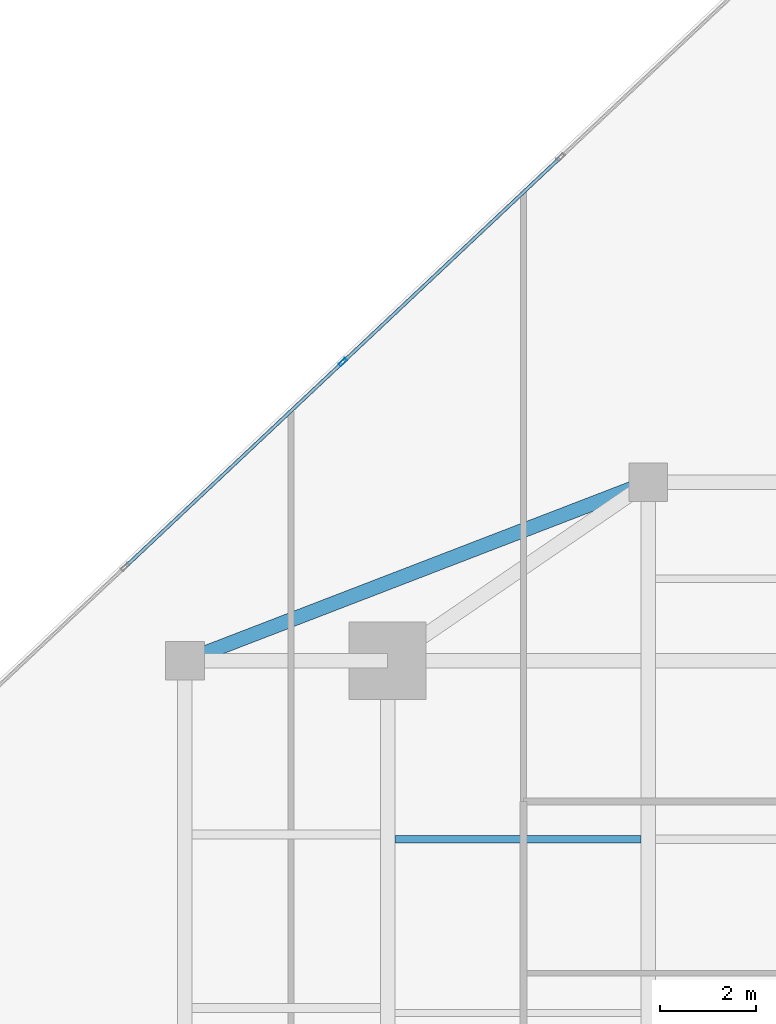
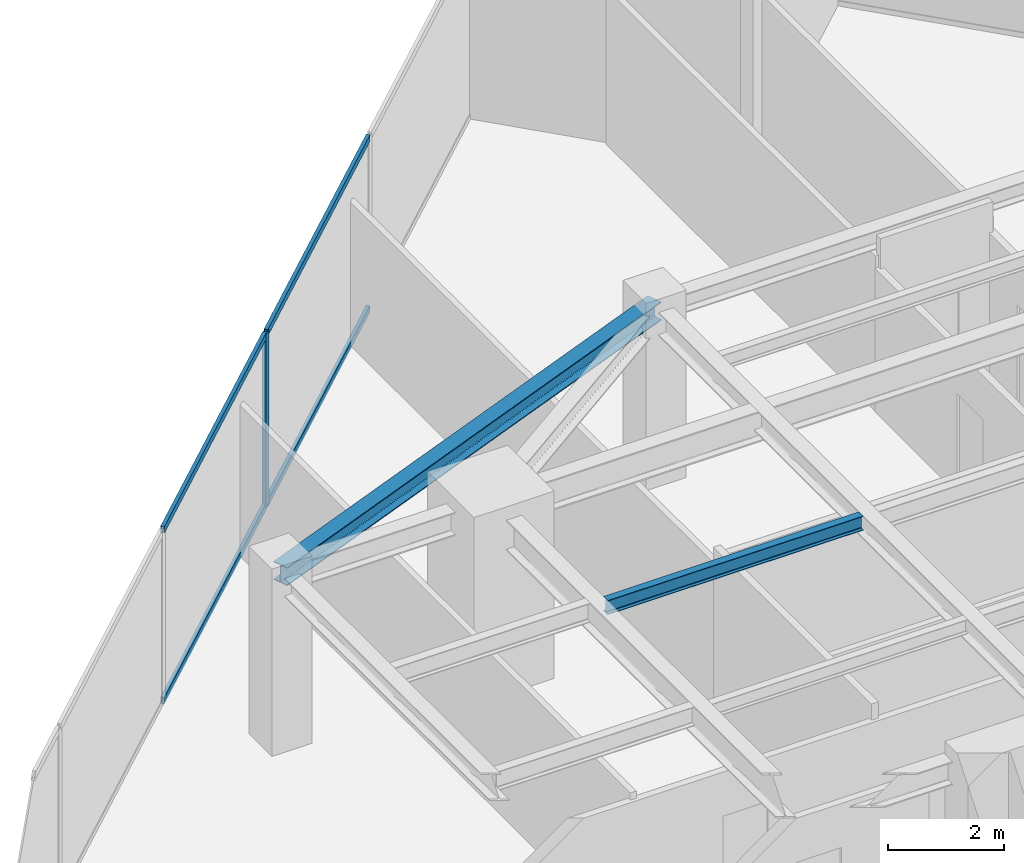
# One storey, part 14 of 24: 5 members, 2 beams, 1 element without a shape of its own.
"""IFC4 building model written with IfcOpenShell, lengths in metres."""

from ifc_helpers import new_model, si_unit, direction, frame, origin, origin_2d, place, context, subcontext, project, spatial, hollow_rectangle, i_section, extrude, source, transform, mapped, material, material_profile, profile_set, type_object, type_shapes, element, aggregate, save


model = new_model("IFC4")

# Units and contexts
model_context = context("Model", 3, precision=1e-05, world=origin(), true_north=direction((0.0, 1.0)))
body_context = subcontext(model_context, "Body", "Model", "MODEL_VIEW")
ifc_project = project(units=[si_unit("LENGTHUNIT", "METRE"), si_unit("AREAUNIT", "SQUARE_METRE"), si_unit("VOLUMEUNIT", "CUBIC_METRE"), si_unit("PLANEANGLEUNIT", "RADIAN"), si_unit("MASSUNIT", "GRAM", prefix="KILO")], contexts=[model_context])

# Site, building, storey
site_placement = place(None, origin())
site = spatial("IfcSite", under=ifc_project, at=site_placement, CompositionType="ELEMENT")
building_placement = place(site_placement, origin())
building = spatial("IfcBuilding", under=site, at=building_placement, Name="Krantzveldt Concourse Tower", CompositionType="ELEMENT")
storey_placement = place(building_placement, frame((0.0, 0.0, 246.800048828125)))
storey = spatial("IfcBuildingStorey", under=building, at=storey_placement, Name="L60", CompositionType="ELEMENT", Elevation=246.800048828125)

# Beams
ifc_material_1 = material(Name="Steel S355JR", Category="steel")
ifc_material_profile_1 = material_profile(ifc_material_1, i_section(OverallWidth=0.300048828125, OverallDepth=0.389892578125, WebThickness=0.010986328125, FlangeThickness=0.01904296875, FilletRadius=0.027099609375, at=origin_2d()), Name="Steel S355JR", Category="steel")
ifc_profile_set_1 = profile_set([ifc_material_profile_1], Name="Steel S355JR - HEA 400")
beam_type_1 = type_object("IfcBeamType", Name="BM-SP-HEA400", PredefinedType="SPANDREL", material=ifc_profile_set_1)
shared_shape_1 = source(origin(), body_context, "Body", "SweptSolid", [
    extrude(i_section(OverallWidth=0.300048828125, OverallDepth=0.389892578125, WebThickness=0.010986328125, FlangeThickness=0.01904296875, FilletRadius=0.027099609375, at=origin_2d()), origin(), (0.0, 0.0, 1.0), 10.288330078125),
])
type_shapes(beam_type_1, [shared_shape_1])
beam_1_placement = place(storey_placement, frame((21.0, 37.5, 3.474853515625), z_axis=(0.933097690408, 0.359622997257, 0.0), x_axis=(-0.359622997257, 0.933097690408, 0.0)))
element("IfcBeam", 1, at=beam_1_placement, inside=storey, type_object=beam_type_1, Name="L60 Tower Girder SP-R03", PredefinedType="SPANDREL", context=body_context, shape_type="MappedRepresentation", body=[
    mapped(shared_shape_1, transform((0.0, 0.0, 0.0), x_axis=(1.0, 0.0, 0.0), y_axis=(0.0, 1.0, 0.0), z_axis=(0.0, 0.0, 1.0), scale=1.0)),
])
ifc_material_profile_2 = material_profile(ifc_material_1, i_section(OverallWidth=0.14990234375, OverallDepth=0.300048828125, WebThickness=0.007080078125, FlangeThickness=0.0107421875, FilletRadius=0.014892578125, at=origin_2d()), Name="Steel S355JR", Category="steel")
ifc_profile_set_2 = profile_set([ifc_material_profile_2], Name="Steel S355JR - IPE 300")
beam_type_2 = type_object("IfcBeamType", Name="BM-J-IPE300", PredefinedType="JOIST", material=ifc_profile_set_2)
shared_shape_2 = source(origin(), body_context, "Body", "SweptSolid", [
    extrude(i_section(OverallWidth=0.14990234375, OverallDepth=0.300048828125, WebThickness=0.007080078125, FlangeThickness=0.0107421875, FilletRadius=0.014892578125, at=origin_2d()), origin(), (0.0, 0.0, 1.0), 5.099853515625),
])
type_shapes(beam_type_2, [shared_shape_2])
beam_2_placement = place(storey_placement, frame((25.35009765625, 33.800048828125, 3.52001953125), z_axis=(1.0, 0.0, 0.0), x_axis=(0.0, 1.0, 0.0)))
element("IfcBeam", 2, at=beam_2_placement, inside=storey, type_object=beam_type_2, Name="L60 Secondary Floor Joist JN-W2", PredefinedType="JOIST", context=body_context, shape_type="MappedRepresentation", body=[
    mapped(shared_shape_2, transform((0.0, 0.0, 0.0), x_axis=(1.0, 0.0, 0.0), y_axis=(0.0, 1.0, 0.0), z_axis=(0.0, 0.0, 1.0), scale=1.0)),
])

# Curtain wall, members
ifc_material_2 = material(Name="Anodised aluminium 6063-T6", Category="aluminium")
curtain_wall_type = type_object("IfcCurtainWallType", Name="CW3", PredefinedType="USERDEFINED", material=ifc_material_2)
curtain_wall_placement = place(storey_placement, origin())
curtain_wall = element("IfcCurtainWall", 3, at=curtain_wall_placement, inside=storey, type_object=curtain_wall_type, Name="CW-L60-F01", ObjectType="UNITISED CURTAIN WALL", PredefinedType="USERDEFINED")
ifc_material_profile_3 = material_profile(ifc_material_2, hollow_rectangle(XDim=0.070068359375, YDim=0.179931640625, WallThickness=0.0048828125, at=origin_2d()), Name="Anodised aluminium 6063-T6", Category="aluminium")
ifc_profile_set_3 = profile_set([ifc_material_profile_3], Name="Anodised aluminium 6063-T6 - ALU-MULL 180x70x5")
member_type_1 = type_object("IfcMemberType", Name="CW-MUL-180", PredefinedType="MULLION", material=ifc_profile_set_3)
shared_shape_3 = source(origin(), body_context, "Body", "SweptSolid", [
    extrude(hollow_rectangle(XDim=0.070068359375, YDim=0.179931640625, WallThickness=0.0048828125, at=origin_2d()), origin(), (0.0, 0.0, 1.0), 3.669921875),
])
type_shapes(member_type_1, [shared_shape_3])
member_1_placement = place(storey_placement, frame((24.2734375, 43.690185546875, 0.0), z_axis=(0.0, 0.0, 1.0), x_axis=(0.685182945184, -0.728371012348, 0.0)))
member_1 = element("IfcMember", 4, at=member_1_placement, type_object=member_type_1, Name="CW-Z34 mullion 3", PredefinedType="MULLION", context=body_context, shape_type="MappedRepresentation", body=[
    mapped(shared_shape_3, transform((0.0, 0.0, 0.0), x_axis=(1.0, 0.0, 0.0), y_axis=(0.0, 1.0, 0.0), z_axis=(0.0, 0.0, 1.0), scale=1.0)),
])
ifc_material_profile_4 = material_profile(ifc_material_2, hollow_rectangle(XDim=0.070068359375, YDim=0.139892578125, WallThickness=0.0048828125, at=origin_2d()), Name="Anodised aluminium 6063-T6", Category="aluminium")
ifc_profile_set_4 = profile_set([ifc_material_profile_4], Name="Anodised aluminium 6063-T6 - ALU-TRAN 140x70x5")
member_type_2 = type_object("IfcMemberType", Name="CW-TRN-150", PredefinedType="USERDEFINED", material=ifc_profile_set_4)
shared_shape_4 = source(origin(), body_context, "Body", "SweptSolid", [
    extrude(hollow_rectangle(XDim=0.070068359375, YDim=0.139892578125, WallThickness=0.0048828125, at=origin_2d()), origin(), (0.0, 0.0, 1.0), 6.1298828125),
])
type_shapes(member_type_2, [shared_shape_4])
member_2_placement = place(storey_placement, frame((28.763671875, 47.914306640625, 0.034912109375), z_axis=(-0.72836366623, -0.685190754255, 0.0), x_axis=(0.685190754255, -0.72836366623, 0.0)))
member_2 = element("IfcMember", 5, at=member_2_placement, type_object=member_type_2, Name="CW-Z34 transom 2.1", ObjectType="TRANSOM", PredefinedType="USERDEFINED", context=body_context, shape_type="MappedRepresentation", body=[
    mapped(shared_shape_4, transform((0.0, 0.0, 0.0), x_axis=(1.0, 0.0, 0.0), y_axis=(0.0, 1.0, 0.0), z_axis=(0.0, 0.0, 1.0), scale=1.0)),
])
member_3_placement = place(storey_placement, frame((28.763671875, 47.914306640625, 3.635009765625), z_axis=(-0.72836366623, -0.685190754255, 0.0), x_axis=(0.685190754255, -0.72836366623, 0.0)))
member_3 = element("IfcMember", 6, at=member_3_placement, type_object=member_type_2, Name="CW-Z34 transom 2.2", ObjectType="TRANSOM", PredefinedType="USERDEFINED", context=body_context, shape_type="MappedRepresentation", body=[
    mapped(shared_shape_4, transform((0.0, 0.0, 0.0), x_axis=(1.0, 0.0, 0.0), y_axis=(0.0, 1.0, 0.0), z_axis=(0.0, 0.0, 1.0), scale=1.0)),
])
member_4_placement = place(storey_placement, frame((24.247802734375, 43.666259765625, 0.034912109375), z_axis=(-0.72836366623, -0.685190754255, 0.0), x_axis=(0.685190754255, -0.72836366623, 0.0)))
member_4 = element("IfcMember", 7, at=member_4_placement, type_object=member_type_2, Name="CW-Z34 transom 3.1", ObjectType="TRANSOM", PredefinedType="USERDEFINED", context=body_context, shape_type="MappedRepresentation", body=[
    mapped(shared_shape_4, transform((0.0, 0.0, 0.0), x_axis=(1.0, 0.0, 0.0), y_axis=(0.0, 1.0, 0.0), z_axis=(0.0, 0.0, 1.0), scale=1.0)),
])
member_5_placement = place(storey_placement, frame((24.247802734375, 43.666259765625, 3.635009765625), z_axis=(-0.72836366623, -0.685190754255, 0.0), x_axis=(0.685190754255, -0.72836366623, 0.0)))
member_5 = element("IfcMember", 8, at=member_5_placement, type_object=member_type_2, Name="CW-Z34 transom 3.2", ObjectType="TRANSOM", PredefinedType="USERDEFINED", context=body_context, shape_type="MappedRepresentation", body=[
    mapped(shared_shape_4, transform((0.0, 0.0, 0.0), x_axis=(1.0, 0.0, 0.0), y_axis=(0.0, 1.0, 0.0), z_axis=(0.0, 0.0, 1.0), scale=1.0)),
])
aggregate(curtain_wall, [member_1, member_2, member_3, member_4, member_5])

save(model, "model.ifc")
